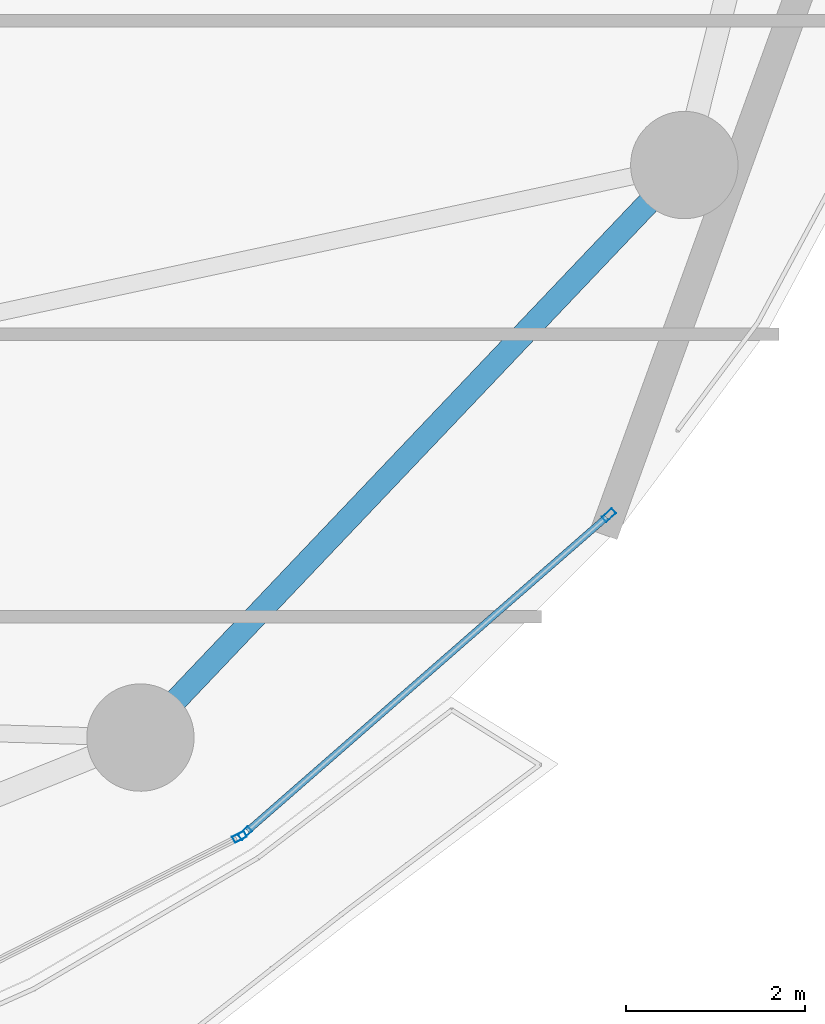
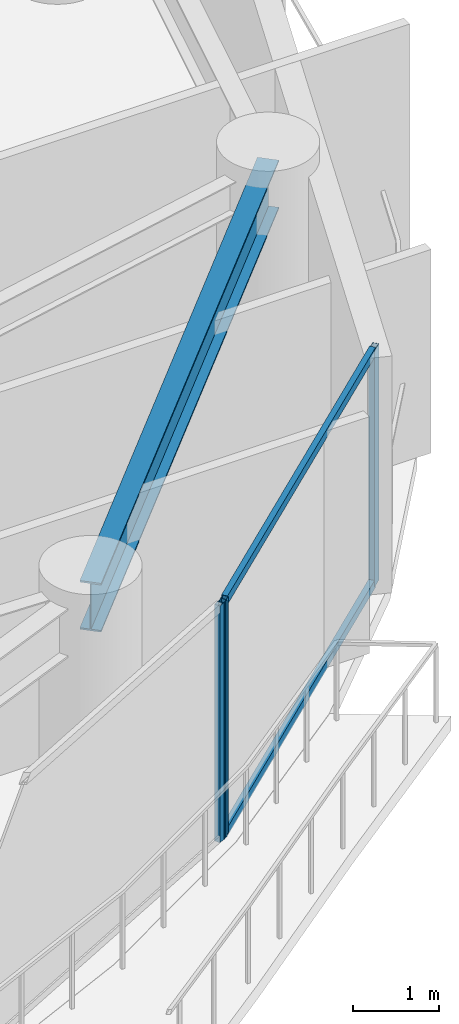
# One storey, part 13 of 28: 5 members, 1 beam, 2 elements without a shape of their own.
"""IFC4 building model written with IfcOpenShell, lengths in metres."""

from ifc_helpers import new_model, si_unit, direction, frame, origin, origin_2d, place, context, subcontext, project, spatial, hollow_rectangle, i_section, extrude, material, layer, layer_set, material_profile, profile_set, type_object, element, aggregate, save


model = new_model("IFC4")

# Units and contexts
model_context = context("Model", 3, precision=1e-05, world=origin(), true_north=direction((0.0, 1.0)))
body_context = subcontext(model_context, "Body", "Model", "MODEL_VIEW")
ifc_project = project(units=[si_unit("LENGTHUNIT", "METRE"), si_unit("AREAUNIT", "SQUARE_METRE"), si_unit("VOLUMEUNIT", "CUBIC_METRE"), si_unit("PLANEANGLEUNIT", "RADIAN"), si_unit("MASSUNIT", "GRAM", prefix="KILO")], contexts=[model_context])

# Site, building, storey
site_placement = place(None, origin())
site = spatial("IfcSite", under=ifc_project, at=site_placement, CompositionType="ELEMENT")
building_placement = place(site_placement, origin())
building = spatial("IfcBuilding", under=site, at=building_placement, Name="Kazevale Care Tower and Concert Hall", CompositionType="ELEMENT")
storey_placement = place(building_placement, frame((0.0, 0.0, 120.60009765625)))
storey = spatial("IfcBuildingStorey", under=building, at=storey_placement, Name="L31", CompositionType="ELEMENT", Elevation=120.60009765625)

# Curtain wall, members
ifc_material_1 = material(Name="Aluminium 6063-T6 and Low-E Glass", Category="aluminium")
ifc_layer = layer(ifc_material_1, 0.179931640625)
ifc_layer_set = layer_set([ifc_layer], Name="Aluminium 6063-T6 and Low-E Glass")
curtain_wall_type = type_object("IfcCurtainWallType", Name="Sheltered Concave Balcony Curtain Wall CW-5", PredefinedType="NOTDEFINED", material=ifc_layer_set)
curtain_wall_1_placement = place(storey_placement, origin())
curtain_wall_1 = element("IfcCurtainWall", 1, at=curtain_wall_1_placement, inside=storey, type_object=curtain_wall_type, Name="cw:L31:f02", PredefinedType="NOTDEFINED")
ifc_material_2 = material(Name="Aluminium 6063-T6", Category="aluminium")
ifc_material_profile_1 = material_profile(ifc_material_2, hollow_rectangle(XDim=0.074951171875, YDim=0.14990234375, WallThickness=0.00390625, at=origin_2d()), Name="ALU75x150x4")
ifc_profile_set_1 = profile_set([ifc_material_profile_1], Name="Aluminium 6063-T6")
member_type_1 = type_object("IfcMemberType", Name="CW-5 Mullion ALU75x150x4", PredefinedType="MULLION", material=ifc_profile_set_1)
member_1_placement = place(storey_placement, frame((70.06787109375, 25.477294921875, 0.0), z_axis=(0.0, 0.0, 1.0), x_axis=(0.657948668382, -0.753062779437, 0.0)))
member_1 = element("IfcMember", 2, at=member_1_placement, type_object=member_type_1, Name="CW-5 mullion 1", PredefinedType="MULLION", context=body_context, shape_type="SweptSolid", body=[
    extrude(hollow_rectangle(XDim=0.074951171875, YDim=0.14990234375, WallThickness=0.00390625, at=origin_2d()), origin(), (0.0, 0.0, 1.0), 3.35986328125),
])
member_2_placement = place(storey_placement, frame((65.999267578125, 21.922607421875, 0.0), z_axis=(0.0, 0.0, 1.0), x_axis=(0.657948668382, -0.753062779437, 0.0)))
member_2 = element("IfcMember", 3, at=member_2_placement, type_object=member_type_1, Name="CW-5 mullion 2", PredefinedType="MULLION", context=body_context, shape_type="SweptSolid", body=[
    extrude(hollow_rectangle(XDim=0.074951171875, YDim=0.14990234375, WallThickness=0.00390625, at=origin_2d()), origin(), (0.0, 0.0, 1.0), 3.35986328125),
])

# Curtain wall, member
curtain_wall_2_placement = place(storey_placement, origin())
curtain_wall_2 = element("IfcCurtainWall", 4, at=curtain_wall_2_placement, inside=storey, type_object=curtain_wall_type, Name="cw:L31:f03", PredefinedType="NOTDEFINED")
member_3_placement = place(storey_placement, frame((65.9375, 21.880859375, 0.0), z_axis=(0.0, 0.0, 1.0), x_axis=(0.455713236575, -0.890126646051, 0.0)))
member_3 = element("IfcMember", 5, at=member_3_placement, type_object=member_type_1, Name="CW-5 mullion 1", PredefinedType="MULLION", context=body_context, shape_type="SweptSolid", body=[
    extrude(hollow_rectangle(XDim=0.074951171875, YDim=0.14990234375, WallThickness=0.00390625, at=origin_2d()), origin(), (0.0, 0.0, 1.0), 3.35986328125),
])
aggregate(curtain_wall_2, [member_3])

# Member
ifc_material_profile_2 = material_profile(ifc_material_2, hollow_rectangle(XDim=0.074951171875, YDim=0.1201171875, WallThickness=0.00390625, at=origin_2d()), Name="ALU75x120x4")
ifc_profile_set_2 = profile_set([ifc_material_profile_2], Name="Aluminium 6063-T6")
member_type_2 = type_object("IfcMemberType", Name="CW-5 Transom ALU75x120x4", PredefinedType="USERDEFINED", material=ifc_profile_set_2)
member_4_placement = place(storey_placement, frame((70.03955078125, 25.45263671875, 0.037353515625), z_axis=(-0.753050570644, -0.657962641837, 0.0), x_axis=(0.657962641837, -0.753050570644, 0.0)))
member_4 = element("IfcMember", 6, at=member_4_placement, type_object=member_type_2, Name="CW-5 transom 1.1", ObjectType="TRANSOM", PredefinedType="USERDEFINED", context=body_context, shape_type="SweptSolid", body=[
    extrude(hollow_rectangle(XDim=0.074951171875, YDim=0.1201171875, WallThickness=0.00390625, at=origin_2d()), origin(), (0.0, 0.0, 1.0), 5.32763671875),
])

member_5_placement = place(storey_placement, frame((70.03955078125, 25.45263671875, 3.322509765625), z_axis=(-0.753050570644, -0.657962641837, 0.0), x_axis=(0.657962641837, -0.753050570644, 0.0)))
member_5 = element("IfcMember", 7, at=member_5_placement, type_object=member_type_2, Name="CW-5 transom 1.2", ObjectType="TRANSOM", PredefinedType="USERDEFINED", context=body_context, shape_type="SweptSolid", body=[
    extrude(hollow_rectangle(XDim=0.074951171875, YDim=0.1201171875, WallThickness=0.00390625, at=origin_2d()), origin(), (0.0, 0.0, 1.0), 5.32763671875),
])

aggregate(curtain_wall_1, [member_1, member_2, member_4, member_5])

# Beam
ifc_material_3 = material(Name="Steel ASTM A572 Gr 50", Category="steel")
ifc_material_profile_3 = material_profile(ifc_material_3, i_section(OverallWidth=0.256103515625, OverallDepth=0.693115234375, WebThickness=0.014404296875, FlangeThickness=0.023681640625, at=origin_2d()), Name="W690x170")
ifc_profile_set_3 = profile_set([ifc_material_profile_3], Name="Steel ASTM A572 Gr 50")
beam_type = type_object("IfcBeamType", Name="Waist Ring Beam W690x170", PredefinedType="BEAM", material=ifc_profile_set_3)
beam_placement = place(storey_placement, frame((64.830078125, 22.989990234375, 3.013427734375), z_axis=(0.688745100728, 0.725003576697, 0.0), x_axis=(-0.725003576697, 0.688745100728, 0.0)))
element("IfcBeam", 8, at=beam_placement, inside=storey, type_object=beam_type, Name="beam:L31:ring:15", PredefinedType="BEAM", context=body_context, shape_type="SweptSolid", body=[
    extrude(i_section(OverallWidth=0.256103515625, OverallDepth=0.693115234375, WebThickness=0.014404296875, FlangeThickness=0.023681640625, at=origin_2d()), origin(), (0.0, 0.0, 1.0), 8.827392578125),
])

save(model, "model.ifc")
